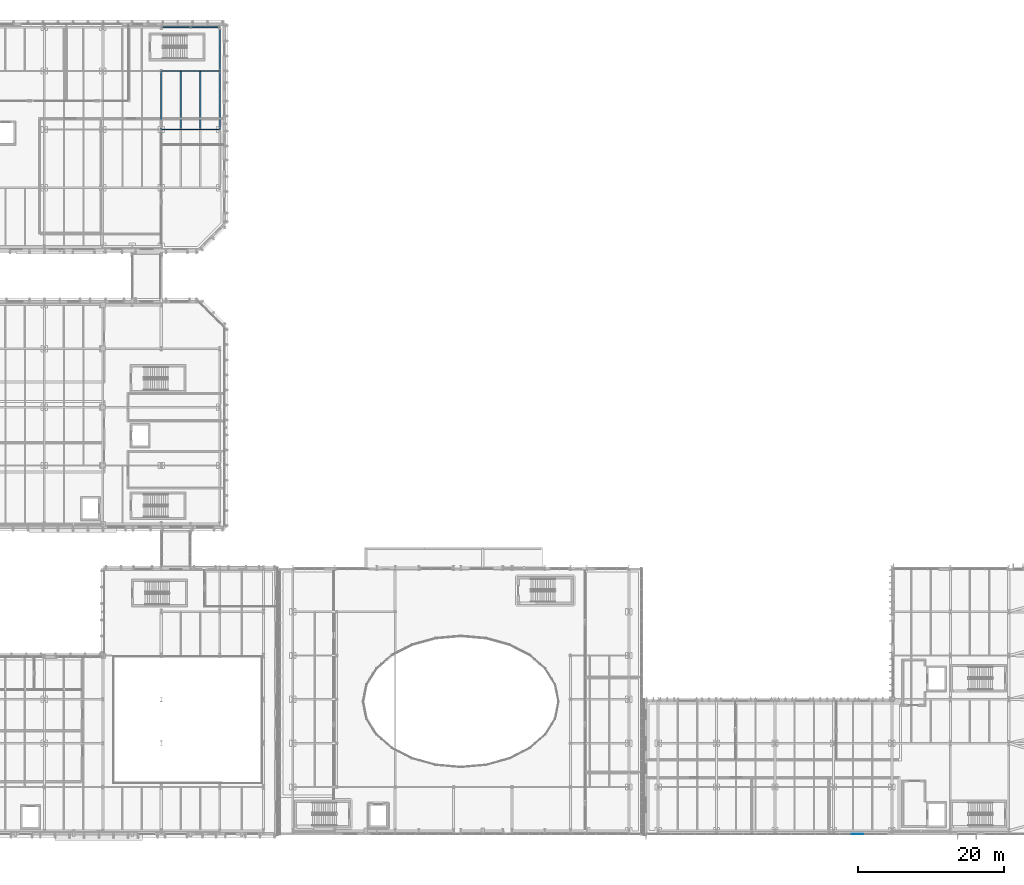
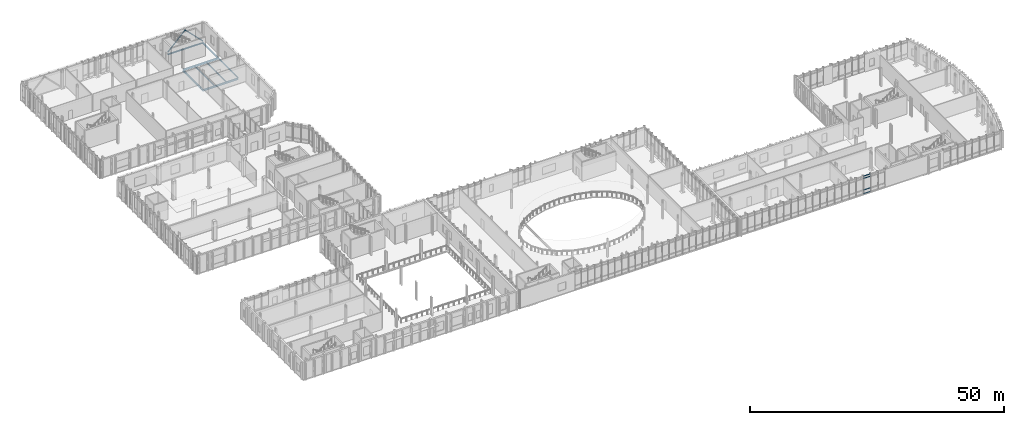
# One storey, part 40 of 100: 8 beams, 6 members, 1 element without a shape of its own.
"""IFC4 building model written with IfcOpenShell, lengths in metres."""

from ifc_helpers import new_model, si_unit, direction, frame, origin, origin_2d, place, context, subcontext, project, spatial, rectangle, hollow_circle, i_section, extrude, material, material_profile, profile_set, type_object, element, aggregate, save


model = new_model("IFC4")

# Units and contexts
model_context = context("Model", 3, precision=1e-05, world=origin(), true_north=direction((0.0, 1.0)))
body_context = subcontext(model_context, "Body", "Model", "MODEL_VIEW")
ifc_project = project(units=[si_unit("LENGTHUNIT", "METRE"), si_unit("AREAUNIT", "SQUARE_METRE"), si_unit("VOLUMEUNIT", "CUBIC_METRE"), si_unit("PLANEANGLEUNIT", "RADIAN"), si_unit("MASSUNIT", "GRAM", prefix="KILO")], contexts=[model_context])

# Site, building, storey
site_placement = place(None, origin())
site = spatial("IfcSite", under=ifc_project, at=site_placement, CompositionType="ELEMENT")
building_placement = place(site_placement, origin())
building = spatial("IfcBuilding", under=site, at=building_placement, Name="Cymarion Research Institute", CompositionType="ELEMENT")
storey_placement = place(building_placement, frame((0.0, 0.0, 4.800048828125)))
storey = spatial("IfcBuildingStorey", under=building, at=storey_placement, Name="L01", CompositionType="ELEMENT", Elevation=4.800048828125)

# Curtain wall, members
ifc_material_1 = material(Name="Anodised aluminium unitised curtain wall with Low-E glazing", Category="aluminium")
curtain_wall_type = type_object("IfcCurtainWallType", Name="UNITISED CURTAIN WALL CW01 6590X4250", PredefinedType="NOTDEFINED", material=ifc_material_1)
curtain_wall_placement = place(storey_placement, origin())
curtain_wall = element("IfcCurtainWall", 1, at=curtain_wall_placement, inside=storey, type_object=curtain_wall_type, Name="L01 V1 unitised curtain wall CW01 #5", PredefinedType="NOTDEFINED")
ifc_material_2 = material(Name="Anodised aluminium framing", Category="aluminium")
ifc_material_profile_1 = material_profile(ifc_material_2, rectangle(XDim=0.06005859375, YDim=0.14990234375, at=origin_2d()), Name="ALU TRANSOM 60x150")
ifc_profile_set_1 = profile_set([ifc_material_profile_1], Name="Anodised aluminium framing")
member_type_1 = type_object("IfcMemberType", Name="CURTAIN WALL TRANSOM TR01 60X150", PredefinedType="USERDEFINED", material=ifc_profile_set_1)
member_1_placement = place(storey_placement, frame((133.11279296875, 5.090087890625, 0.030029296875), z_axis=(1.0, 0.0, 0.0), x_axis=(0.0, 1.0, 0.0)))
member_1 = element("IfcMember", 2, at=member_1_placement, type_object=member_type_1, Name="CW01 transom 2.1", ObjectType="TRANSOM", PredefinedType="USERDEFINED", context=body_context, shape_type="SweptSolid", body=[
    extrude(rectangle(XDim=0.06005859375, YDim=0.14990234375, at=origin_2d()), origin(), (0.0, 0.0, 1.0), 1.588134765625),
])
member_2_placement = place(storey_placement, frame((133.11279296875, 5.090087890625, 0.89990234375), z_axis=(1.0, 0.0, 0.0), x_axis=(0.0, 1.0, 0.0)))
member_2 = element("IfcMember", 3, at=member_2_placement, type_object=member_type_1, Name="CW01 transom 2.2", ObjectType="TRANSOM", PredefinedType="USERDEFINED", context=body_context, shape_type="SweptSolid", body=[
    extrude(rectangle(XDim=0.06005859375, YDim=0.14990234375, at=origin_2d()), origin(), (0.0, 0.0, 1.0), 1.588134765625),
])
member_3_placement = place(storey_placement, frame((133.11279296875, 5.090087890625, 3.699951171875), z_axis=(1.0, 0.0, 0.0), x_axis=(0.0, 1.0, 0.0)))
member_3 = element("IfcMember", 4, at=member_3_placement, type_object=member_type_1, Name="CW01 transom 2.3", ObjectType="TRANSOM", PredefinedType="USERDEFINED", context=body_context, shape_type="SweptSolid", body=[
    extrude(rectangle(XDim=0.06005859375, YDim=0.14990234375, at=origin_2d()), origin(), (0.0, 0.0, 1.0), 1.588134765625),
])
member_4_placement = place(storey_placement, frame((133.11279296875, 5.090087890625, 4.219970703125), z_axis=(1.0, 0.0, 0.0), x_axis=(0.0, 1.0, 0.0)))
member_4 = element("IfcMember", 5, at=member_4_placement, type_object=member_type_1, Name="CW01 transom 2.4", ObjectType="TRANSOM", PredefinedType="USERDEFINED", context=body_context, shape_type="SweptSolid", body=[
    extrude(rectangle(XDim=0.06005859375, YDim=0.14990234375, at=origin_2d()), origin(), (0.0, 0.0, 1.0), 1.588134765625),
])
aggregate(curtain_wall, [member_1, member_2, member_3, member_4])

# Beams
ifc_material_3 = material(Name="Steel S355", Category="steel")
ifc_material_profile_2 = material_profile(ifc_material_3, i_section(OverallWidth=0.199951171875, OverallDepth=0.5, WebThickness=0.01025390625, FlangeThickness=0.01611328125, FilletRadius=0.02099609375, at=origin_2d()), Name="IPE 500")
ifc_profile_set_2 = profile_set([ifc_material_profile_2], Name="Steel S355")
beam_type_1 = type_object("IfcBeamType", Name="PRIMARY GIRDER BM03 IPE 500", PredefinedType="BEAM", material=ifc_profile_set_2)
beam_1_placement = place(storey_placement, frame((38.60009765625, 101.506103515625, -0.5), z_axis=(0.0, 1.0, 0.0), x_axis=(-1.0, 0.0, 0.0)))
element("IfcBeam", 6, at=beam_1_placement, inside=storey, type_object=beam_type_1, Name="L01 V5 girder BM03 #731", PredefinedType="BEAM", context=body_context, shape_type="SweptSolid", body=[
    extrude(i_section(OverallWidth=0.199951171875, OverallDepth=0.5, WebThickness=0.01025390625, FlangeThickness=0.01611328125, FilletRadius=0.02099609375, at=origin_2d()), origin(), (0.0, 0.0, 1.0), 7.98779296875),
])
ifc_material_profile_3 = material_profile(ifc_material_3, i_section(OverallWidth=0.18994140625, OverallDepth=0.449951171875, WebThickness=0.009521484375, FlangeThickness=0.0146484375, FilletRadius=0.02099609375, at=origin_2d()), Name="IPE 450")
ifc_profile_set_3 = profile_set([ifc_material_profile_3], Name="Steel S355")
beam_type_2 = type_object("IfcBeamType", Name="PRIMARY GIRDER BM04 IPE 450", PredefinedType="BEAM", material=ifc_profile_set_3)
for number, where, z_axis, x_axis, name in (
    (7, (38.60595703125, 101.5, -0.47509765625), (1.0, 0.0, 0.0), (0.0, 1.0, 0.0), "L01 V5 girder BM04 #704"),
    (8, (38.60595703125, 109.5, -0.47509765625), (1.0, 0.0, 0.0), (0.0, 1.0, 0.0), "L01 V5 girder BM04 #709"),
):
    element("IfcBeam", number, at=place(storey_placement, frame(where, z_axis=z_axis, x_axis=x_axis)), inside=storey, type_object=beam_type_2, Name=name, PredefinedType="BEAM", context=body_context, shape_type="SweptSolid", body=[
        extrude(i_section(OverallWidth=0.18994140625, OverallDepth=0.449951171875, WebThickness=0.009521484375, FlangeThickness=0.0146484375, FilletRadius=0.02099609375, at=origin_2d()), origin(), (0.0, 0.0, 1.0), 7.988037109375),
    ])
ifc_material_profile_4 = material_profile(ifc_material_3, i_section(OverallWidth=0.14990234375, OverallDepth=0.300048828125, WebThickness=0.007080078125, FlangeThickness=0.0107421875, FilletRadius=0.014892578125, at=origin_2d()), Name="IPE 300")
ifc_profile_set_4 = profile_set([ifc_material_profile_4], Name="Steel S355")
beam_type_3 = type_object("IfcBeamType", Name="SECONDARY JOIST JS02 IPE 300", PredefinedType="JOIST", material=ifc_profile_set_4)
for number, where, z_axis, x_axis, name in (
    (9, (41.2666015625, 101.59912109375, -0.400146484375), (0.0, 1.0, 0.0), (-1.0, 0.0, 0.0), "L01 V5 secondary joist JS02 #751"),
    (10, (43.933349609375, 101.59912109375, -0.400146484375), (0.0, 1.0, 0.0), (-1.0, 0.0, 0.0), "L01 V5 secondary joist JS02 #752"),
):
    element("IfcBeam", number, at=place(storey_placement, frame(where, z_axis=z_axis, x_axis=x_axis)), inside=storey, type_object=beam_type_3, Name=name, PredefinedType="JOIST", context=body_context, shape_type="SweptSolid", body=[
        extrude(i_section(OverallWidth=0.14990234375, OverallDepth=0.300048828125, WebThickness=0.007080078125, FlangeThickness=0.0107421875, FilletRadius=0.014892578125, at=origin_2d()), origin(), (0.0, 0.0, 1.0), 7.8017578125),
    ])
ifc_material_profile_5 = material_profile(ifc_material_3, i_section(OverallWidth=0.239990234375, OverallDepth=0.22998046875, WebThickness=0.007568359375, FlangeThickness=0.011962890625, FilletRadius=0.02099609375, at=origin_2d()), Name="HEA 240")
ifc_profile_set_5 = profile_set([ifc_material_profile_5], Name="Steel S355")
beam_type_4 = type_object("IfcBeamType", Name="SPANDREL BEAM SPB03 HEA 240", PredefinedType="SPANDREL", material=ifc_profile_set_5)
beam_2_placement = place(storey_placement, frame((38.60595703125, 115.5, -0.364990234375), z_axis=(1.0, 0.0, 0.0), x_axis=(0.0, 1.0, 0.0)))
element("IfcBeam", 11, at=beam_2_placement, inside=storey, type_object=beam_type_4, Name="L01 V5 girder SPB03 #714", PredefinedType="SPANDREL", context=body_context, shape_type="SweptSolid", body=[
    extrude(i_section(OverallWidth=0.239990234375, OverallDepth=0.22998046875, WebThickness=0.007568359375, FlangeThickness=0.011962890625, FilletRadius=0.02099609375, at=origin_2d()), origin(), (0.0, 0.0, 1.0), 7.988037109375),
])
beam_3_placement = place(storey_placement, frame((46.60009765625, 109.506103515625, -0.364990234375), z_axis=(0.0, 1.0, 0.0), x_axis=(-1.0, 0.0, 0.0)))
element("IfcBeam", 12, at=beam_3_placement, inside=storey, type_object=beam_type_4, Name="L01 V5 girder SPB03 #734", PredefinedType="SPANDREL", context=body_context, shape_type="SweptSolid", body=[
    extrude(i_section(OverallWidth=0.239990234375, OverallDepth=0.22998046875, WebThickness=0.007568359375, FlangeThickness=0.011962890625, FilletRadius=0.02099609375, at=origin_2d()), origin(), (0.0, 0.0, 1.0), 5.98779296875),
])
ifc_material_profile_6 = material_profile(ifc_material_3, i_section(OverallWidth=0.199951171875, OverallDepth=0.18994140625, WebThickness=0.006591796875, FlangeThickness=0.010009765625, FilletRadius=0.01806640625, at=origin_2d()), Name="HEA 200")
ifc_profile_set_6 = profile_set([ifc_material_profile_6], Name="Steel S355")
beam_type_5 = type_object("IfcBeamType", Name="SPANDREL BEAM SPB04 HEA 200", PredefinedType="SPANDREL", material=ifc_profile_set_6)
beam_4_placement = place(storey_placement, frame((46.60009765625, 101.506103515625, -0.344970703125), z_axis=(0.0, 1.0, 0.0), x_axis=(-1.0, 0.0, 0.0)))
element("IfcBeam", 13, at=beam_4_placement, inside=storey, type_object=beam_type_5, Name="L01 V5 girder SPB04 #733", PredefinedType="SPANDREL", context=body_context, shape_type="SweptSolid", body=[
    extrude(i_section(OverallWidth=0.199951171875, OverallDepth=0.18994140625, WebThickness=0.006591796875, FlangeThickness=0.010009765625, FilletRadius=0.01806640625, at=origin_2d()), origin(), (0.0, 0.0, 1.0), 7.98779296875),
])

# Members
ifc_material_profile_7 = material_profile(ifc_material_3, hollow_circle(Radius=0.122314453125, WallThickness=0.012451171875, at=origin_2d()), Name="CHS 244.5x12.5")
ifc_profile_set_7 = profile_set([ifc_material_profile_7], Name="Steel S355")
member_type_2 = type_object("IfcMemberType", Name="STRUCTURAL MEMBER BR03 CHS 244.5x12.5", PredefinedType="BRACE", material=ifc_profile_set_7)
member_5_placement = place(storey_placement, frame((38.6142578125, 115.5, 0.119873046875), z_axis=(0.70610954467, 0.0, 0.708102613275), x_axis=(0.0, 1.0, 0.0)))
element("IfcMember", 14, at=member_5_placement, inside=storey, type_object=member_type_2, Name="L01 V5 seismic chevron brace BR03 #1", PredefinedType="BRACE", context=body_context, shape_type="SweptSolid", body=[
    extrude(hollow_circle(Radius=0.122314453125, WallThickness=0.012451171875, at=origin_2d()), origin(), (0.0, 0.0, 1.0), 5.634765625),
])
member_6_placement = place(storey_placement, frame((46.585693359375, 115.5, 0.119873046875), z_axis=(-0.706087818821, 0.0, 0.708124277307), x_axis=(0.0, -1.0, 0.0)))
element("IfcMember", 15, at=member_6_placement, inside=storey, type_object=member_type_2, Name="L01 V5 seismic chevron brace BR03 #2", PredefinedType="BRACE", context=body_context, shape_type="SweptSolid", body=[
    extrude(hollow_circle(Radius=0.122314453125, WallThickness=0.012451171875, at=origin_2d()), origin(), (0.0, 0.0, 1.0), 5.634521484375),
])

save(model, "model.ifc")
